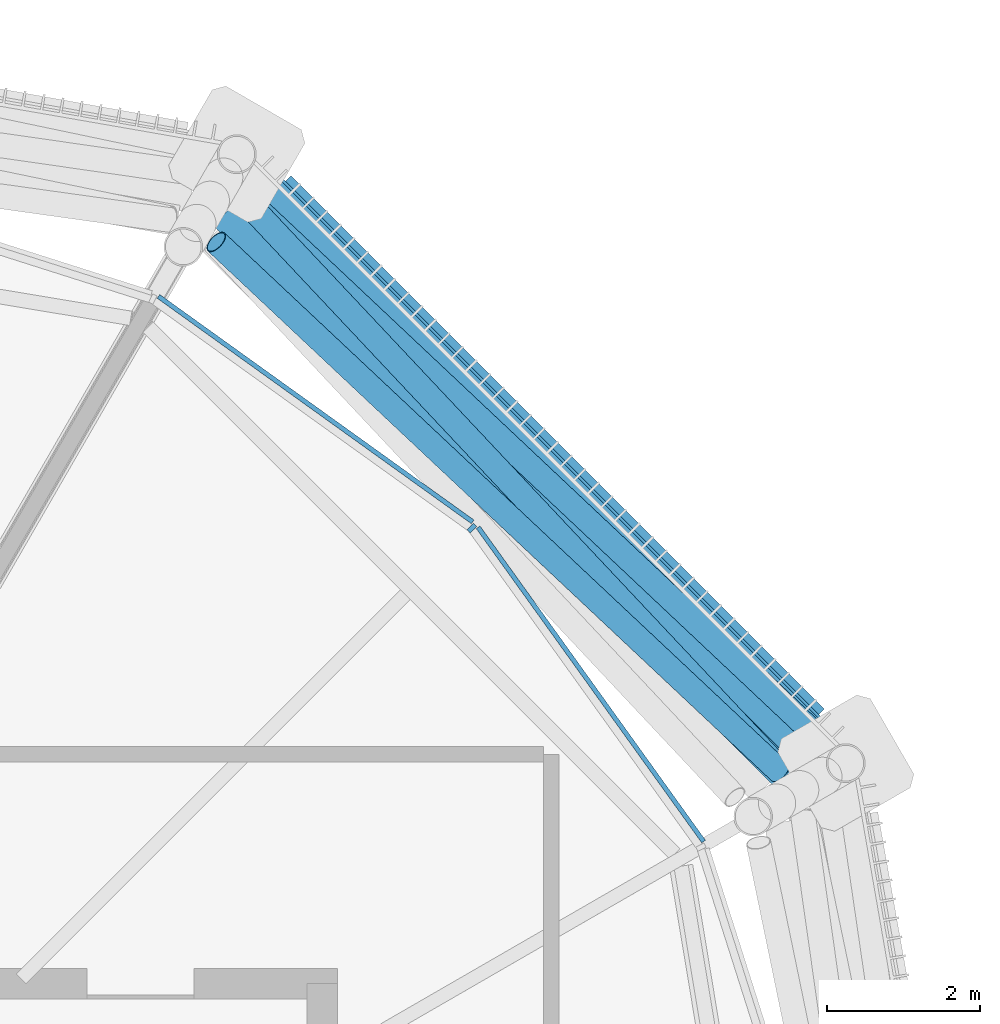
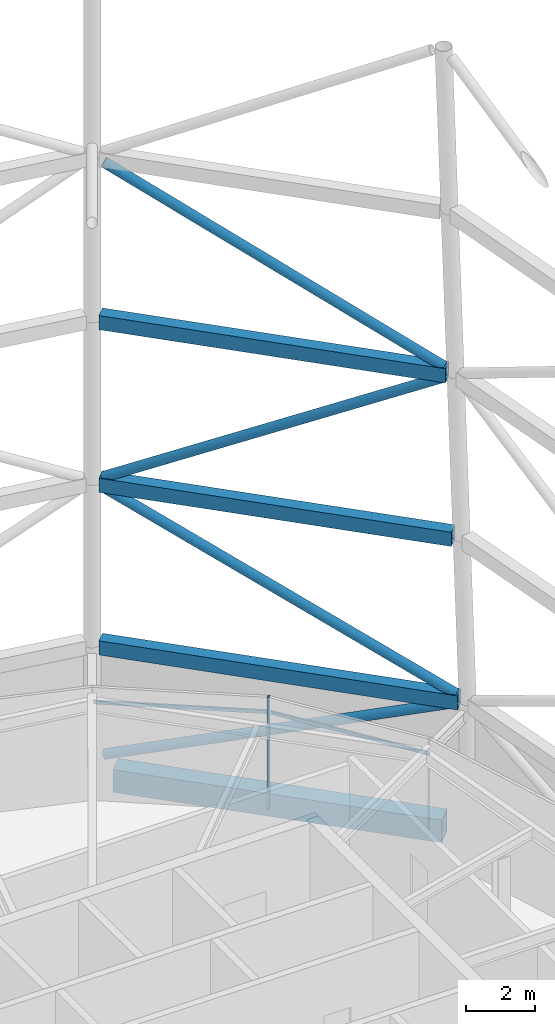
# One storey, part 61 of 71: 7 members, 4 beams, 1 element without a shape of its own.
"""IFC4 building model written with IfcOpenShell, lengths in metres."""

from ifc_helpers import new_model, si_unit, direction, frame, origin, origin_2d, place, context, subcontext, project, spatial, rectangle, hollow_rectangle, hollow_circle, extrude, material, material_profile, profile_set, type_object, element, aggregate, save


model = new_model("IFC4")

# Units and contexts
model_context = context("Model", 3, precision=1e-05, world=origin(), true_north=direction((0.0, 1.0)))
body_context = subcontext(model_context, "Body", "Model", "MODEL_VIEW")
ifc_project = project(units=[si_unit("LENGTHUNIT", "METRE"), si_unit("AREAUNIT", "SQUARE_METRE"), si_unit("VOLUMEUNIT", "CUBIC_METRE"), si_unit("PLANEANGLEUNIT", "RADIAN"), si_unit("MASSUNIT", "GRAM", prefix="KILO")], contexts=[model_context])

# Site, building, storey
site_placement = place(None, origin())
site = spatial("IfcSite", under=ifc_project, at=site_placement, CompositionType="ELEMENT")
building_placement = place(site_placement, origin())
building = spatial("IfcBuilding", under=site, at=building_placement, Name="Rimbun Link Towers", CompositionType="ELEMENT")
storey_placement = place(building_placement, frame((0.0, 0.0, 267.60009765625)))
storey = spatial("IfcBuildingStorey", under=building, at=storey_placement, Name="L65", CompositionType="ELEMENT", Elevation=267.60009765625)

# Curtain wall, members
ifc_material_1 = material(Name="Aluminium 6063-T6 louvre wall", Category="aluminium")
curtain_wall_type = type_object("IfcCurtainWallType", Name="CW6 plant floor louvre wall", PredefinedType="NOTDEFINED", material=ifc_material_1)
curtain_wall_placement = place(storey_placement, origin())
curtain_wall = element("IfcCurtainWall", 1, at=curtain_wall_placement, inside=storey, type_object=curtain_wall_type, Name="CW6 L65 T2", PredefinedType="NOTDEFINED")
ifc_material_2 = material(Name="Aluminium 6063-T6", Category="aluminium")
ifc_material_profile_1 = material_profile(ifc_material_2, rectangle(XDim=0.1201171875, YDim=0.06005859375, at=origin_2d()), Name="MULLION 60X120")
ifc_profile_set_1 = profile_set([ifc_material_profile_1], Name="Aluminium 6063-T6")
member_type_1 = type_object("IfcMemberType", Name="CW6 mullion 60X120", PredefinedType="MULLION", material=ifc_profile_set_1)
member_1_placement = place(storey_placement, frame((45.71142578125, 13.96142578125, 0.0), z_axis=(0.0, 0.0, 1.0), x_axis=(0.707106781187, 0.707106781187, 0.0)))
member_1 = element("IfcMember", 2, at=member_1_placement, type_object=member_type_1, Name="CW6 mullion", PredefinedType="MULLION", context=body_context, shape_type="SweptSolid", body=[
    extrude(rectangle(XDim=0.1201171875, YDim=0.06005859375, at=origin_2d()), origin(), (0.0, 0.0, 1.0), 4.0),
])
ifc_material_3 = material(Name="Aluminium 6063-T6", Category="aluminium")
ifc_material_profile_2 = material_profile(ifc_material_3, rectangle(XDim=0.06005859375, YDim=0.1201171875, at=origin_2d()), Name="TRANSOM 60X120")
ifc_profile_set_2 = profile_set([ifc_material_profile_2], Name="Aluminium 6063-T6")
member_type_2 = type_object("IfcMemberType", Name="CW6 transom 60X120", PredefinedType="USERDEFINED", material=ifc_profile_set_2)
member_2_placement = place(storey_placement, frame((41.609619140625, 16.991943359375, 3.39990234375), z_axis=(0.812456764852, -0.583021444928, 0.0), x_axis=(0.583021444928, 0.812456764852, 0.0)))
member_2 = element("IfcMember", 3, at=member_2_placement, type_object=member_type_2, Name="CW6 transom", ObjectType="TRANSOM", PredefinedType="USERDEFINED", context=body_context, shape_type="SweptSolid", body=[
    extrude(rectangle(XDim=0.06005859375, YDim=0.1201171875, at=origin_2d()), origin(), (0.0, 0.0, 1.0), 5.059814453125),
])
member_3_placement = place(storey_placement, frame((45.7919921875, 13.970458984375, 3.39990234375), z_axis=(0.583021444928, -0.812456764852, 0.0), x_axis=(0.812456764852, 0.583021444928, 0.0)))
member_3 = element("IfcMember", 4, at=member_3_placement, type_object=member_type_2, Name="CW6 transom", ObjectType="TRANSOM", PredefinedType="USERDEFINED", context=body_context, shape_type="SweptSolid", body=[
    extrude(rectangle(XDim=0.06005859375, YDim=0.1201171875, at=origin_2d()), origin(), (0.0, 0.0, 1.0), 5.059814453125),
])
aggregate(curtain_wall, [member_1, member_2, member_3])

# Members
ifc_material_4 = material(Name="Steel S355J2H", Category="steel")
ifc_material_profile_3 = material_profile(ifc_material_4, hollow_circle(Radius=0.161865234375, WallThickness=0.011962890625, at=origin_2d()), Name="Crown frame brace CHS 324x12")
ifc_profile_set_3 = profile_set([ifc_material_profile_3], Name="Steel S355J2H")
member_type_3 = type_object("IfcMemberType", Name="Crown frame brace CHS 324x12", PredefinedType="BRACE", material=ifc_profile_set_3)
member_4_placement = place(storey_placement, frame((42.90087890625, 18.585693359375, 0.1337890625), z_axis=(0.666367078529, -0.666367078529, 0.334529271223), x_axis=(0.707106781187, 0.707106781187, 0.0)))
element("IfcMember", 5, at=member_4_placement, inside=storey, type_object=member_type_3, Name="CROWN FRAME brace T2 1-11", PredefinedType="BRACE", context=body_context, shape_type="SweptSolid", body=[
    extrude(hollow_circle(Radius=0.161865234375, WallThickness=0.011962890625, at=origin_2d()), origin(), (0.0, 0.0, 1.0), 11.1572265625),
])
member_5_placement = place(storey_placement, frame((50.345703125, 11.1259765625, 4.18896484375), z_axis=(-0.641639549745, 0.603963681012, 0.472785956033), x_axis=(-0.685405398866, -0.728161684796, 0.0)))
element("IfcMember", 6, at=member_5_placement, inside=storey, type_object=member_type_3, Name="CROWN FRAME brace T2 2-11", PredefinedType="BRACE", context=body_context, shape_type="SweptSolid", body=[
    extrude(hollow_circle(Radius=0.161865234375, WallThickness=0.011962890625, at=origin_2d()), origin(), (0.0, 0.0, 1.0), 11.890869140625),
])
member_6_placement = place(storey_placement, frame((42.699951171875, 18.29345703125, 10.19140625), z_axis=(0.601424667009, -0.639570390699, 0.478788142349), x_axis=(0.72849776907, 0.685048173824, 0.0)))
element("IfcMember", 7, at=member_6_placement, inside=storey, type_object=member_type_3, Name="CROWN FRAME brace T2 3-11", PredefinedType="BRACE", context=body_context, shape_type="SweptSolid", body=[
    extrude(hollow_circle(Radius=0.161865234375, WallThickness=0.011962890625, at=origin_2d()), origin(), (0.0, 0.0, 1.0), 11.731689453125),
])
member_7_placement = place(storey_placement, frame((49.7412109375, 10.77392578125, 16.19384765625), z_axis=(-0.637413235173, 0.598786604903, 0.484931922453), x_axis=(-0.684678179794, -0.728845518689, 0.0)))
element("IfcMember", 8, at=member_7_placement, inside=storey, type_object=member_type_3, Name="CROWN FRAME brace T2 4-11", PredefinedType="BRACE", context=body_context, shape_type="SweptSolid", body=[
    extrude(hollow_circle(Radius=0.161865234375, WallThickness=0.011962890625, at=origin_2d()), origin(), (0.0, 0.0, 1.0), 11.572998046875),
])

# Beams
ifc_material_5 = material(Name="Steel S355J2", Category="steel")
ifc_material_profile_4 = material_profile(ifc_material_5, hollow_rectangle(XDim=0.39990234375, YDim=0.5, WallThickness=0.02001953125, at=origin_2d()), Name="Crown frame ring beam BOX 400x500x20")
ifc_profile_set_4 = profile_set([ifc_material_profile_4], Name="Steel S355J2")
beam_type_1 = type_object("IfcBeamType", Name="Crown frame ring beam BOX 400x500x20", PredefinedType="BEAM", material=ifc_profile_set_4)
beam_1_placement = place(storey_placement, frame((50.422607421875, 11.06396484375, 4.0), z_axis=(-0.707106781187, 0.707106781187, 0.0), x_axis=(-0.707106781187, -0.707106781187, 0.0)))
element("IfcBeam", 9, at=beam_1_placement, inside=storey, type_object=beam_type_1, Name="CROWN FRAME ring beam T2 1-11", PredefinedType="BEAM", context=body_context, shape_type="SweptSolid", body=[
    extrude(hollow_rectangle(XDim=0.39990234375, YDim=0.5, WallThickness=0.02001953125, at=origin_2d()), origin(), (0.0, 0.0, 1.0), 10.76025390625),
])
beam_2_placement = place(storey_placement, frame((50.11962890625, 10.888916015625, 10.0), z_axis=(-0.707106781187, 0.707106781187, 0.0), x_axis=(-0.707106781187, -0.707106781187, 0.0)))
element("IfcBeam", 10, at=beam_2_placement, inside=storey, type_object=beam_type_1, Name="CROWN FRAME ring beam T2 2-11", PredefinedType="BEAM", context=body_context, shape_type="SweptSolid", body=[
    extrude(hollow_rectangle(XDim=0.39990234375, YDim=0.5, WallThickness=0.02001953125, at=origin_2d()), origin(), (0.0, 0.0, 1.0), 10.579345703125),
])
beam_3_placement = place(storey_placement, frame((49.81640625, 10.714111328125, 16.0), z_axis=(-0.707106781187, 0.707106781187, 0.0), x_axis=(-0.707106781187, -0.707106781187, 0.0)))
element("IfcBeam", 11, at=beam_3_placement, inside=storey, type_object=beam_type_1, Name="CROWN FRAME ring beam T2 3-11", PredefinedType="BEAM", context=body_context, shape_type="SweptSolid", body=[
    extrude(hollow_rectangle(XDim=0.39990234375, YDim=0.5, WallThickness=0.02001953125, at=origin_2d()), origin(), (0.0, 0.0, 1.0), 10.397705078125),
])
ifc_material_6 = material(Name="Steel S355J2", Category="steel")
ifc_material_profile_5 = material_profile(ifc_material_6, hollow_rectangle(XDim=0.60009765625, YDim=0.800048828125, WallThickness=0.0400390625, at=origin_2d()), Name="Exoskeleton ring girder BOX 600x800x40")
ifc_profile_set_5 = profile_set([ifc_material_profile_5], Name="Steel S355J2")
beam_type_2 = type_object("IfcBeamType", Name="Exoskeleton ring girder BOX 600x800x40", PredefinedType="BEAM", material=ifc_profile_set_5)
beam_4_placement = place(storey_placement, frame((50.107421875, 11.37939453125, -0.56005859375), z_axis=(-0.707106781187, 0.707106781187, 0.0), x_axis=(-0.707106781187, -0.707106781187, 0.0)))
element("IfcBeam", 12, at=beam_4_placement, inside=storey, type_object=beam_type_2, Name="Exoskeleton ring girder L65 11", PredefinedType="BEAM", context=body_context, shape_type="SweptSolid", body=[
    extrude(hollow_rectangle(XDim=0.60009765625, YDim=0.800048828125, WallThickness=0.0400390625, at=origin_2d()), origin(), (0.0, 0.0, 1.0), 9.868408203125),
])

save(model, "model.ifc")
